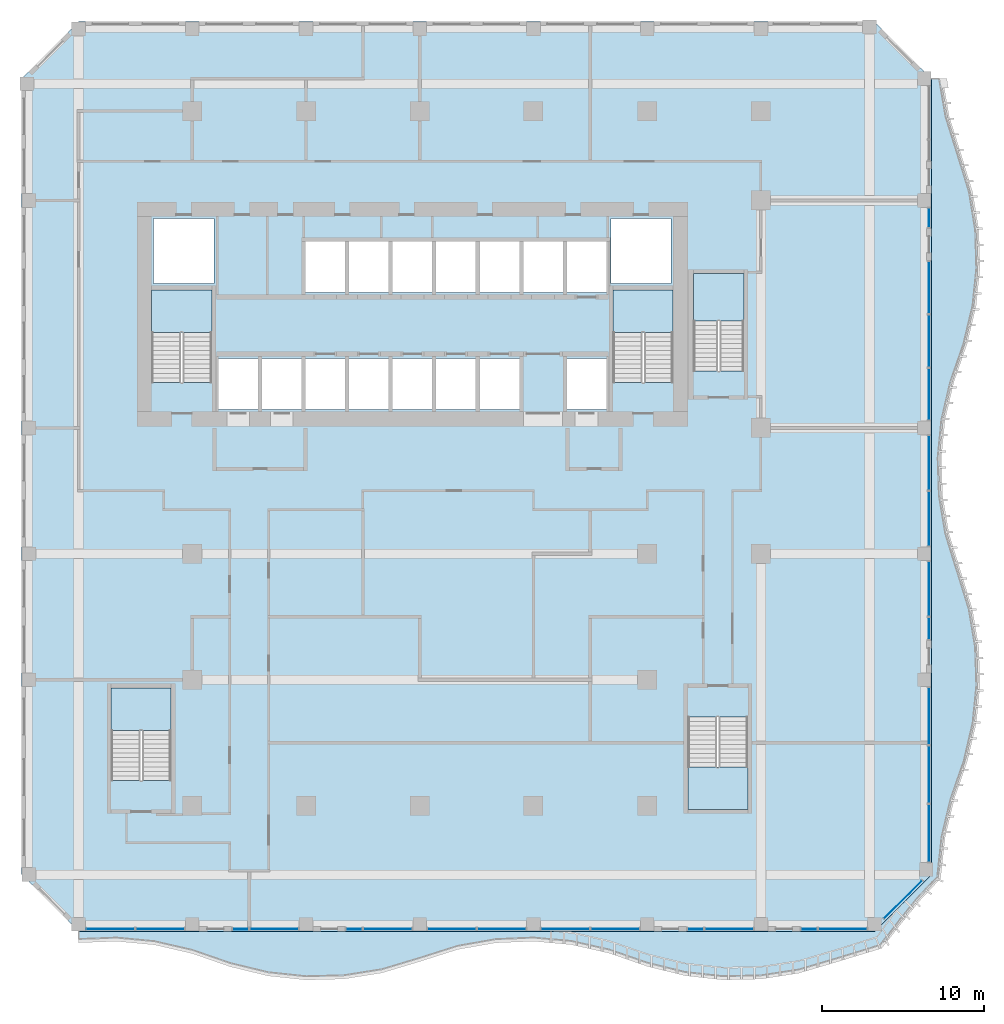
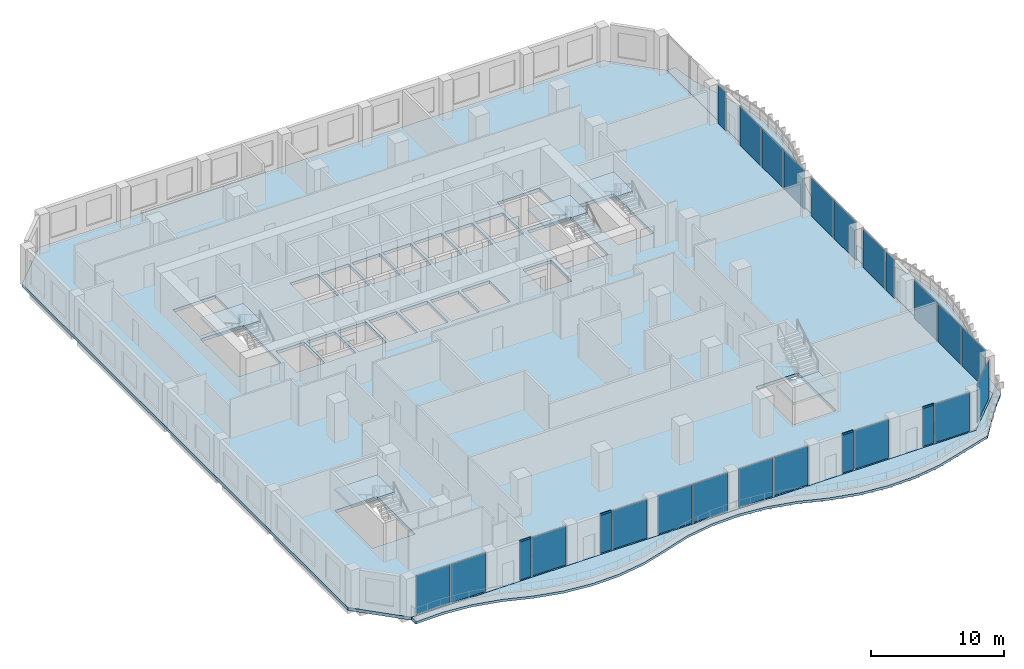
# One storey, part 9 of 19: 26 plates, 7 slabs, 4 members, 31 elements without a shape of their own.
"""IFC4 building model written with IfcOpenShell, lengths in metres."""

from ifc_helpers import new_model, si_unit, direction, frame, origin, origin_2d, place, context, subcontext, project, spatial, polyline, rectangle, outline, extrude, source, transform, mapped, material, layer, layer_set, material_profile, profile_set, type_object, element, aggregate, save


model = new_model("IFC4")

# Units and contexts
model_context = context("Model", 3, precision=1e-05, world=origin(), true_north=direction((0.0, 1.0)))
body_context = subcontext(model_context, "Body", "Model", "MODEL_VIEW")
ifc_project = project(units=[si_unit("LENGTHUNIT", "METRE"), si_unit("AREAUNIT", "SQUARE_METRE"), si_unit("VOLUMEUNIT", "CUBIC_METRE"), si_unit("PLANEANGLEUNIT", "RADIAN"), si_unit("MASSUNIT", "GRAM", prefix="KILO")], contexts=[model_context])

# Site, building, storey
site_placement = place(None, origin())
site = spatial("IfcSite", under=ifc_project, at=site_placement, CompositionType="ELEMENT")
building_placement = place(site_placement, origin())
building = spatial("IfcBuilding", under=site, at=building_placement, Name="Kilnfold Tower and Market Hall", CompositionType="ELEMENT")
storey_placement = place(building_placement, frame((0.0, 0.0, 124.60009765625)))
storey = spatial("IfcBuildingStorey", under=building, at=storey_placement, Name="L29", CompositionType="ELEMENT", Elevation=124.60009765625)

# Curtain wall, member
ifc_material_1 = material(Name="Aluminium and double glazing", Category="aluminium")
curtain_wall_type = type_object("IfcCurtainWallType", Name="CW OF2 VALLEY GLAZING", PredefinedType="NOTDEFINED", material=ifc_material_1)
curtain_wall_1_placement = place(storey_placement, origin())
curtain_wall_1 = element("IfcCurtainWall", 1, at=curtain_wall_1_placement, inside=storey, type_object=curtain_wall_type, Name="Curtain wall CW2 L29 S", PredefinedType="NOTDEFINED")
ifc_material_2 = material(Name="Aluminium", Category="aluminium")
ifc_material_profile = material_profile(ifc_material_2, rectangle(XDim=0.06005859375, YDim=0.159912109375, at=origin_2d()), Name="TRANSOM 60x160")
ifc_profile_set = profile_set([ifc_material_profile], Name="Aluminium")
member_type = type_object("IfcMemberType", Name="TRANSOM 60X160", PredefinedType="USERDEFINED", material=ifc_profile_set)
shared_shape_1 = source(origin(), body_context, "Body", "SweptSolid", [
    extrude(rectangle(XDim=0.06005859375, YDim=0.159912109375, at=origin_2d()), origin(), (0.0, 0.0, 1.0), 0.954833984375),
])
member_1_placement = place(storey_placement, frame((-10.014892578125, -22.85009765625, 3.56982421875), z_axis=(1.0, 0.0, 0.0), x_axis=(0.0, 1.0, 0.0)))
member_1 = element("IfcMember", 2, at=member_1_placement, type_object=member_type, Name="CW2 transom 1.2", ObjectType="TRANSOM", PredefinedType="USERDEFINED", context=body_context, shape_type="MappedRepresentation", body=[
    mapped(shared_shape_1, transform((0.0, 0.0, 0.0))),
])

curtain_wall_2_placement = place(storey_placement, origin())
curtain_wall_2 = element("IfcCurtainWall", 3, at=curtain_wall_2_placement, inside=storey, type_object=curtain_wall_type, Name="Curtain wall CW2 L29 S", PredefinedType="NOTDEFINED")
member_2_placement = place(storey_placement, frame((-3.014892578125, -22.85009765625, 3.56982421875), z_axis=(1.0, 0.0, 0.0), x_axis=(0.0, 1.0, 0.0)))
member_2 = element("IfcMember", 4, at=member_2_placement, type_object=member_type, Name="CW2 transom 1.2", ObjectType="TRANSOM", PredefinedType="USERDEFINED", context=body_context, shape_type="MappedRepresentation", body=[
    mapped(shared_shape_1, transform((0.0, 0.0, 0.0))),
])

curtain_wall_3_placement = place(storey_placement, origin())
curtain_wall_3 = element("IfcCurtainWall", 5, at=curtain_wall_3_placement, inside=storey, type_object=curtain_wall_type, Name="Curtain wall CW2 L29 S", PredefinedType="NOTDEFINED")
member_3_placement = place(storey_placement, frame((17.985107421875, -22.85009765625, 3.56982421875), z_axis=(1.0, 0.0, 0.0), x_axis=(0.0, 1.0, 0.0)))
member_3 = element("IfcMember", 6, at=member_3_placement, type_object=member_type, Name="CW2 transom 1.2", ObjectType="TRANSOM", PredefinedType="USERDEFINED", context=body_context, shape_type="MappedRepresentation", body=[
    mapped(shared_shape_1, transform((0.0, 0.0, 0.0))),
])

curtain_wall_4_placement = place(storey_placement, origin())
curtain_wall_4 = element("IfcCurtainWall", 7, at=curtain_wall_4_placement, inside=storey, type_object=curtain_wall_type, Name="Curtain wall CW2 L29 S", PredefinedType="NOTDEFINED")
member_4_placement = place(storey_placement, frame((24.985107421875, -22.85009765625, 3.56982421875), z_axis=(1.0, 0.0, 0.0), x_axis=(0.0, 1.0, 0.0)))
member_4 = element("IfcMember", 8, at=member_4_placement, type_object=member_type, Name="CW2 transom 1.2", ObjectType="TRANSOM", PredefinedType="USERDEFINED", context=body_context, shape_type="MappedRepresentation", body=[
    mapped(shared_shape_1, transform((0.0, 0.0, 0.0))),
])

# Slab
ifc_material_3 = material(Name="Concrete C45", Category="concrete")
ifc_layer_1 = layer(ifc_material_3, 0.280029296875)
ifc_layer_set_1 = layer_set([ifc_layer_1], Name="Concrete C45")
slab_type_1 = type_object("IfcSlabType", Name="FLOOR SLAB 280", PredefinedType="FLOOR", material=ifc_layer_set_1)
shared_shape_2 = source(origin(), body_context, "Body", "SweptSolid", [
    extrude(outline(polyline([(-19.5, -23.0), (29.5, -23.0), (33.0, -19.5), (33.0, 29.5), (29.5, 33.0), (-19.5, 33.0), (-23.0, 29.5), (-23.0, -19.5), (-19.5, -23.0)]), holes=[polyline([(-13.800537109375, -13.699462890625), (-17.49951171875, -13.699462890625), (-17.49951171875, -8.00048828125), (-13.800537109375, -8.00048828125), (-13.800537109375, -13.699462890625)]), polyline([(-14.99951171875, 10.800537109375), (-14.99951171875, 16.49951171875), (-11.300537109375, 16.49951171875), (-11.300537109375, 10.800537109375), (-14.99951171875, 10.800537109375)]), polyline([(-14.875, 16.875), (-14.875, 20.875), (-11.175048828125, 20.875), (-11.175048828125, 16.875), (-14.875, 16.875)]), polyline([(-8.455078125, 9.125), (-10.885009765625, 9.125), (-10.885009765625, 12.27490234375), (-8.455078125, 12.27490234375), (-8.455078125, 9.125)]), polyline([(-5.77490234375, 9.125), (-8.205078125, 9.125), (-8.205078125, 12.27490234375), (-5.77490234375, 12.27490234375), (-5.77490234375, 9.125)]), polyline([(-5.52490234375, 9.125), (-5.52490234375, 12.27490234375), (-3.094970703125, 12.27490234375), (-3.094970703125, 9.125), (-5.52490234375, 9.125)]), polyline([(-5.52490234375, 16.324951171875), (-5.52490234375, 19.47509765625), (-3.094970703125, 19.47509765625), (-3.094970703125, 16.324951171875), (-5.52490234375, 16.324951171875)]), polyline([(-2.844970703125, 9.125), (-2.844970703125, 12.27490234375), (-0.4150390625, 12.27490234375), (-0.4150390625, 9.125), (-2.844970703125, 9.125)]), polyline([(-0.4150390625, 16.324951171875), (-2.844970703125, 16.324951171875), (-2.844970703125, 19.47509765625), (-0.4150390625, 19.47509765625), (-0.4150390625, 16.324951171875)]), polyline([(2.264892578125, 9.125), (-0.1650390625, 9.125), (-0.1650390625, 12.27490234375), (2.264892578125, 12.27490234375), (2.264892578125, 9.125)]), polyline([(-0.1650390625, 16.324951171875), (-0.1650390625, 19.47509765625), (2.264892578125, 19.47509765625), (2.264892578125, 16.324951171875), (-0.1650390625, 16.324951171875)]), polyline([(4.945068359375, 9.125), (2.514892578125, 9.125), (2.514892578125, 12.27490234375), (4.945068359375, 12.27490234375), (4.945068359375, 9.125)]), polyline([(2.514892578125, 16.324951171875), (2.514892578125, 19.47509765625), (4.945068359375, 19.47509765625), (4.945068359375, 16.324951171875), (2.514892578125, 16.324951171875)]), polyline([(7.625, 9.125), (5.195068359375, 9.125), (5.195068359375, 12.27490234375), (7.625, 12.27490234375), (7.625, 9.125)]), polyline([(5.195068359375, 16.324951171875), (5.195068359375, 19.47509765625), (7.625, 19.47509765625), (7.625, 16.324951171875), (5.195068359375, 16.324951171875)]), polyline([(10.304931640625, 16.324951171875), (7.875, 16.324951171875), (7.875, 19.47509765625), (10.304931640625, 19.47509765625), (10.304931640625, 16.324951171875)]), polyline([(10.554931640625, 9.125), (10.554931640625, 12.27490234375), (12.985107421875, 12.27490234375), (12.985107421875, 9.125), (10.554931640625, 9.125)]), polyline([(10.554931640625, 16.324951171875), (10.554931640625, 19.47509765625), (12.985107421875, 19.47509765625), (12.985107421875, 16.324951171875), (10.554931640625, 16.324951171875)]), polyline([(13.27490234375, 16.875), (13.27490234375, 20.875), (16.97509765625, 20.875), (16.97509765625, 16.875), (13.27490234375, 16.875)]), polyline([(13.400390625, 10.800537109375), (13.400390625, 16.49951171875), (17.099609375, 16.49951171875), (17.099609375, 10.800537109375), (13.400390625, 10.800537109375)]), polyline([(18.00048828125, -9.800537109375), (21.699462890625, -9.800537109375), (21.699462890625, -15.49951171875), (18.00048828125, -15.49951171875), (18.00048828125, -9.800537109375)]), polyline([(21.449462890625, 11.50048828125), (18.3505859375, 11.50048828125), (18.3505859375, 17.49951171875), (21.449462890625, 17.49951171875), (21.449462890625, 11.50048828125)])]), origin(), (0.0, 0.0, 1.0), 0.280029296875),
])
slab_1_placement = place(storey_placement, frame((0.0, 0.0, -0.280029296875)))
element("IfcSlab", 9, at=slab_1_placement, inside=storey, type_object=slab_type_1, Name="Floor slab L29", PredefinedType="FLOOR", context=body_context, shape_type="MappedRepresentation", body=[
    mapped(shared_shape_2, transform((0.0, 0.0, 0.0))),
])

# Curtain wall, plate
curtain_wall_5_placement = place(storey_placement, origin())
curtain_wall_5 = element("IfcCurtainWall", 10, at=curtain_wall_5_placement, inside=storey, type_object=curtain_wall_type, Name="Curtain wall CW2 L29 S", PredefinedType="NOTDEFINED")
ifc_material_4 = material(Name="Double glazed unit")
ifc_layer_2 = layer(ifc_material_4, 0.031982421875)
ifc_layer_set_2 = layer_set([ifc_layer_2], Name="Double glazed unit")
plate_type = type_object("IfcPlateType", Name="GLAZING PANEL 32", PredefinedType="CURTAIN_PANEL", material=ifc_layer_set_2)
shared_shape_3 = source(origin(), body_context, "Body", "SweptSolid", [
    extrude(rectangle(XDim=2.955078125, YDim=0.031982421875, at=origin_2d()), origin(), (0.0, 0.0, 1.0), 3.5400390625),
])
plate_1_placement = place(storey_placement, frame((-17.53759765625, -22.85009765625, 0.0), z_axis=(0.0, 0.0, 1.0), x_axis=(1.0, 0.0, 0.0)))
plate_1 = element("IfcPlate", 11, at=plate_1_placement, type_object=plate_type, Name="CW2 panel 1.1", PredefinedType="CURTAIN_PANEL", context=body_context, shape_type="MappedRepresentation", body=[
    mapped(shared_shape_3, transform((0.0, 0.0, 0.0))),
])
aggregate(curtain_wall_5, [plate_1])

curtain_wall_6_placement = place(storey_placement, origin())
curtain_wall_6 = element("IfcCurtainWall", 12, at=curtain_wall_6_placement, inside=storey, type_object=curtain_wall_type, Name="Curtain wall CW2 L29 S", PredefinedType="NOTDEFINED")
plate_2_placement = place(storey_placement, frame((-14.46240234375, -22.85009765625, 0.0), z_axis=(0.0, 0.0, 1.0), x_axis=(1.0, 0.0, 0.0)))
plate_2 = element("IfcPlate", 13, at=plate_2_placement, type_object=plate_type, Name="CW2 panel 1.1", PredefinedType="CURTAIN_PANEL", context=body_context, shape_type="MappedRepresentation", body=[
    mapped(shared_shape_3, transform((0.0, 0.0, 0.0))),
])
aggregate(curtain_wall_6, [plate_2])

curtain_wall_7_placement = place(storey_placement, origin())
curtain_wall_7 = element("IfcCurtainWall", 14, at=curtain_wall_7_placement, inside=storey, type_object=curtain_wall_type, Name="Curtain wall CW2 L29 S", PredefinedType="NOTDEFINED")
plate_3_placement = place(storey_placement, frame((-7.46240234375, -22.85009765625, 0.0), z_axis=(0.0, 0.0, 1.0), x_axis=(1.0, 0.0, 0.0)))
plate_3 = element("IfcPlate", 15, at=plate_3_placement, type_object=plate_type, Name="CW2 panel 1.1", PredefinedType="CURTAIN_PANEL", context=body_context, shape_type="MappedRepresentation", body=[
    mapped(shared_shape_3, transform((0.0, 0.0, 0.0))),
])
aggregate(curtain_wall_7, [plate_3])

curtain_wall_8_placement = place(storey_placement, origin())
curtain_wall_8 = element("IfcCurtainWall", 16, at=curtain_wall_8_placement, inside=storey, type_object=curtain_wall_type, Name="Curtain wall CW2 L29 S", PredefinedType="NOTDEFINED")
plate_4_placement = place(storey_placement, frame((-0.46240234375, -22.85009765625, 0.0), z_axis=(0.0, 0.0, 1.0), x_axis=(1.0, 0.0, 0.0)))
plate_4 = element("IfcPlate", 17, at=plate_4_placement, type_object=plate_type, Name="CW2 panel 1.1", PredefinedType="CURTAIN_PANEL", context=body_context, shape_type="MappedRepresentation", body=[
    mapped(shared_shape_3, transform((0.0, 0.0, 0.0))),
])
aggregate(curtain_wall_8, [plate_4])

curtain_wall_9_placement = place(storey_placement, origin())
curtain_wall_9 = element("IfcCurtainWall", 18, at=curtain_wall_9_placement, inside=storey, type_object=curtain_wall_type, Name="Curtain wall CW2 L29 S", PredefinedType="NOTDEFINED")
plate_5_placement = place(storey_placement, frame((3.46240234375, -22.85009765625, 0.0), z_axis=(0.0, 0.0, 1.0), x_axis=(1.0, 0.0, 0.0)))
plate_5 = element("IfcPlate", 19, at=plate_5_placement, type_object=plate_type, Name="CW2 panel 1.1", PredefinedType="CURTAIN_PANEL", context=body_context, shape_type="MappedRepresentation", body=[
    mapped(shared_shape_3, transform((0.0, 0.0, 0.0))),
])
aggregate(curtain_wall_9, [plate_5])

curtain_wall_10_placement = place(storey_placement, origin())
curtain_wall_10 = element("IfcCurtainWall", 20, at=curtain_wall_10_placement, inside=storey, type_object=curtain_wall_type, Name="Curtain wall CW2 L29 S", PredefinedType="NOTDEFINED")
plate_6_placement = place(storey_placement, frame((6.53759765625, -22.85009765625, 0.0), z_axis=(0.0, 0.0, 1.0), x_axis=(1.0, 0.0, 0.0)))
plate_6 = element("IfcPlate", 21, at=plate_6_placement, type_object=plate_type, Name="CW2 panel 1.1", PredefinedType="CURTAIN_PANEL", context=body_context, shape_type="MappedRepresentation", body=[
    mapped(shared_shape_3, transform((0.0, 0.0, 0.0))),
])
aggregate(curtain_wall_10, [plate_6])

curtain_wall_11_placement = place(storey_placement, origin())
curtain_wall_11 = element("IfcCurtainWall", 22, at=curtain_wall_11_placement, inside=storey, type_object=curtain_wall_type, Name="Curtain wall CW2 L29 S", PredefinedType="NOTDEFINED")
plate_7_placement = place(storey_placement, frame((10.46240234375, -22.85009765625, 0.0), z_axis=(0.0, 0.0, 1.0), x_axis=(1.0, 0.0, 0.0)))
plate_7 = element("IfcPlate", 23, at=plate_7_placement, type_object=plate_type, Name="CW2 panel 1.1", PredefinedType="CURTAIN_PANEL", context=body_context, shape_type="MappedRepresentation", body=[
    mapped(shared_shape_3, transform((0.0, 0.0, 0.0))),
])
aggregate(curtain_wall_11, [plate_7])

curtain_wall_12_placement = place(storey_placement, origin())
curtain_wall_12 = element("IfcCurtainWall", 24, at=curtain_wall_12_placement, inside=storey, type_object=curtain_wall_type, Name="Curtain wall CW2 L29 S", PredefinedType="NOTDEFINED")
plate_8_placement = place(storey_placement, frame((13.53759765625, -22.85009765625, 0.0), z_axis=(0.0, 0.0, 1.0), x_axis=(1.0, 0.0, 0.0)))
plate_8 = element("IfcPlate", 25, at=plate_8_placement, type_object=plate_type, Name="CW2 panel 1.1", PredefinedType="CURTAIN_PANEL", context=body_context, shape_type="MappedRepresentation", body=[
    mapped(shared_shape_3, transform((0.0, 0.0, 0.0))),
])
aggregate(curtain_wall_12, [plate_8])

curtain_wall_13_placement = place(storey_placement, origin())
curtain_wall_13 = element("IfcCurtainWall", 26, at=curtain_wall_13_placement, inside=storey, type_object=curtain_wall_type, Name="Curtain wall CW2 L29 S", PredefinedType="NOTDEFINED")
plate_9_placement = place(storey_placement, frame((20.53759765625, -22.85009765625, 0.0), z_axis=(0.0, 0.0, 1.0), x_axis=(1.0, 0.0, 0.0)))
plate_9 = element("IfcPlate", 27, at=plate_9_placement, type_object=plate_type, Name="CW2 panel 1.1", PredefinedType="CURTAIN_PANEL", context=body_context, shape_type="MappedRepresentation", body=[
    mapped(shared_shape_3, transform((0.0, 0.0, 0.0))),
])
aggregate(curtain_wall_13, [plate_9])

curtain_wall_14_placement = place(storey_placement, origin())
curtain_wall_14 = element("IfcCurtainWall", 28, at=curtain_wall_14_placement, inside=storey, type_object=curtain_wall_type, Name="Curtain wall CW2 L29 S", PredefinedType="NOTDEFINED")
plate_10_placement = place(storey_placement, frame((27.53759765625, -22.85009765625, 0.0), z_axis=(0.0, 0.0, 1.0), x_axis=(1.0, 0.0, 0.0)))
plate_10 = element("IfcPlate", 29, at=plate_10_placement, type_object=plate_type, Name="CW2 panel 1.1", PredefinedType="CURTAIN_PANEL", context=body_context, shape_type="MappedRepresentation", body=[
    mapped(shared_shape_3, transform((0.0, 0.0, 0.0))),
])
aggregate(curtain_wall_14, [plate_10])

# Plate
shared_shape_4 = source(origin(), body_context, "Body", "SweptSolid", [
    extrude(rectangle(XDim=0.955078125, YDim=0.031982421875, at=origin_2d()), origin(), (0.0, 0.0, 1.0), 3.5400390625),
])
plate_11_placement = place(storey_placement, frame((-9.53759765625, -22.85009765625, 0.0), z_axis=(0.0, 0.0, 1.0), x_axis=(1.0, 0.0, 0.0)))
plate_11 = element("IfcPlate", 30, at=plate_11_placement, type_object=plate_type, Name="CW2 panel 1.1", PredefinedType="CURTAIN_PANEL", context=body_context, shape_type="MappedRepresentation", body=[
    mapped(shared_shape_4, transform((0.0, 0.0, 0.0))),
])

aggregate(curtain_wall_1, [member_1, plate_11])

plate_12_placement = place(storey_placement, frame((-2.53759765625, -22.85009765625, 0.0), z_axis=(0.0, 0.0, 1.0), x_axis=(1.0, 0.0, 0.0)))
plate_12 = element("IfcPlate", 31, at=plate_12_placement, type_object=plate_type, Name="CW2 panel 1.1", PredefinedType="CURTAIN_PANEL", context=body_context, shape_type="MappedRepresentation", body=[
    mapped(shared_shape_4, transform((0.0, 0.0, 0.0))),
])

aggregate(curtain_wall_2, [member_2, plate_12])

plate_13_placement = place(storey_placement, frame((18.46240234375, -22.85009765625, 0.0), z_axis=(0.0, 0.0, 1.0), x_axis=(1.0, 0.0, 0.0)))
plate_13 = element("IfcPlate", 32, at=plate_13_placement, type_object=plate_type, Name="CW2 panel 1.1", PredefinedType="CURTAIN_PANEL", context=body_context, shape_type="MappedRepresentation", body=[
    mapped(shared_shape_4, transform((0.0, 0.0, 0.0))),
])

aggregate(curtain_wall_3, [member_3, plate_13])

plate_14_placement = place(storey_placement, frame((25.46240234375, -22.85009765625, 0.0), z_axis=(0.0, 0.0, 1.0), x_axis=(1.0, 0.0, 0.0)))
plate_14 = element("IfcPlate", 33, at=plate_14_placement, type_object=plate_type, Name="CW2 panel 1.1", PredefinedType="CURTAIN_PANEL", context=body_context, shape_type="MappedRepresentation", body=[
    mapped(shared_shape_4, transform((0.0, 0.0, 0.0))),
])

aggregate(curtain_wall_4, [member_4, plate_14])

# Curtain wall, plate
curtain_wall_15_placement = place(storey_placement, origin())
curtain_wall_15 = element("IfcCurtainWall", 34, at=curtain_wall_15_placement, inside=storey, type_object=curtain_wall_type, Name="Curtain wall CW2 L29 SE", PredefinedType="NOTDEFINED")
shared_shape_5 = source(origin(), body_context, "Body", "SweptSolid", [
    extrude(rectangle(XDim=3.3095703125, YDim=0.031982421875, at=origin_2d()), origin(), (0.0, 0.0, 1.0), 3.5400390625),
])
plate_15_placement = place(storey_placement, frame((31.25634765625, -21.031494140625, 0.0), z_axis=(0.0, 0.0, 1.0), x_axis=(0.707092201815, 0.707121360258, 0.0)))
plate_15 = element("IfcPlate", 35, at=plate_15_placement, type_object=plate_type, Name="CW2 panel 1.1", PredefinedType="CURTAIN_PANEL", context=body_context, shape_type="MappedRepresentation", body=[
    mapped(shared_shape_5, transform((0.0, 0.0, 0.0))),
])
aggregate(curtain_wall_15, [plate_15])

curtain_wall_16_placement = place(storey_placement, origin())
curtain_wall_16 = element("IfcCurtainWall", 36, at=curtain_wall_16_placement, inside=storey, type_object=curtain_wall_type, Name="Curtain wall CW2 L29 E", PredefinedType="NOTDEFINED")
shared_shape_6 = source(origin(), body_context, "Body", "SweptSolid", [
    extrude(rectangle(XDim=3.490478515625, YDim=0.031982421875, at=origin_2d()), origin(), (0.0, 0.0, 1.0), 3.5400390625),
])
plate_16_placement = place(storey_placement, frame((32.85009765625, -16.951416015625, 0.0), z_axis=(0.0, 0.0, 1.0), x_axis=(0.0, 1.0, 0.0)))
plate_16 = element("IfcPlate", 37, at=plate_16_placement, type_object=plate_type, Name="CW2 panel 1.1", PredefinedType="CURTAIN_PANEL", context=body_context, shape_type="MappedRepresentation", body=[
    mapped(shared_shape_6, transform((0.0, 0.0, 0.0))),
])
aggregate(curtain_wall_16, [plate_16])

curtain_wall_17_placement = place(storey_placement, origin())
curtain_wall_17 = element("IfcCurtainWall", 38, at=curtain_wall_17_placement, inside=storey, type_object=curtain_wall_type, Name="Curtain wall CW2 L29 E", PredefinedType="NOTDEFINED")
plate_17_placement = place(storey_placement, frame((32.85009765625, -13.3408203125, 0.0), z_axis=(0.0, 0.0, 1.0), x_axis=(0.0, 1.0, 0.0)))
plate_17 = element("IfcPlate", 39, at=plate_17_placement, type_object=plate_type, Name="CW2 panel 1.1", PredefinedType="CURTAIN_PANEL", context=body_context, shape_type="MappedRepresentation", body=[
    mapped(shared_shape_6, transform((0.0, 0.0, 0.0))),
])
aggregate(curtain_wall_17, [plate_17])

curtain_wall_18_placement = place(storey_placement, origin())
curtain_wall_18 = element("IfcCurtainWall", 40, at=curtain_wall_18_placement, inside=storey, type_object=curtain_wall_type, Name="Curtain wall CW2 L29 E", PredefinedType="NOTDEFINED")
plate_18_placement = place(storey_placement, frame((32.85009765625, -9.730224609375, 0.0), z_axis=(0.0, 0.0, 1.0), x_axis=(0.0, 1.0, 0.0)))
plate_18 = element("IfcPlate", 41, at=plate_18_placement, type_object=plate_type, Name="CW2 panel 1.1", PredefinedType="CURTAIN_PANEL", context=body_context, shape_type="MappedRepresentation", body=[
    mapped(shared_shape_6, transform((0.0, 0.0, 0.0))),
])
aggregate(curtain_wall_18, [plate_18])

curtain_wall_19_placement = place(storey_placement, origin())
curtain_wall_19 = element("IfcCurtainWall", 42, at=curtain_wall_19_placement, inside=storey, type_object=curtain_wall_type, Name="Curtain wall CW2 L29 E", PredefinedType="NOTDEFINED")
shared_shape_7 = source(origin(), body_context, "Body", "SweptSolid", [
    extrude(rectangle(XDim=1.330078125, YDim=0.031982421875, at=origin_2d()), origin(), (0.0, 0.0, 1.0), 3.5400390625),
])
plate_19_placement = place(storey_placement, frame((32.85009765625, -4.35009765625, 0.0), z_axis=(0.0, 0.0, 1.0), x_axis=(0.0, 1.0, 0.0)))
plate_19 = element("IfcPlate", 43, at=plate_19_placement, type_object=plate_type, Name="CW2 panel 1.1", PredefinedType="CURTAIN_PANEL", context=body_context, shape_type="MappedRepresentation", body=[
    mapped(shared_shape_7, transform((0.0, 0.0, 0.0))),
])
aggregate(curtain_wall_19, [plate_19])

curtain_wall_20_placement = place(storey_placement, origin())
curtain_wall_20 = element("IfcCurtainWall", 44, at=curtain_wall_20_placement, inside=storey, type_object=curtain_wall_type, Name="Curtain wall CW2 L29 E", PredefinedType="NOTDEFINED")
shared_shape_8 = source(origin(), body_context, "Body", "SweptSolid", [
    extrude(rectangle(XDim=3.330078125, YDim=0.031982421875, at=origin_2d()), origin(), (0.0, 0.0, 1.0), 3.5400390625),
])
plate_20_placement = place(storey_placement, frame((32.85009765625, -1.89990234375, 0.0), z_axis=(0.0, 0.0, 1.0), x_axis=(0.0, 1.0, 0.0)))
plate_20 = element("IfcPlate", 45, at=plate_20_placement, type_object=plate_type, Name="CW2 panel 1.1", PredefinedType="CURTAIN_PANEL", context=body_context, shape_type="MappedRepresentation", body=[
    mapped(shared_shape_8, transform((0.0, 0.0, 0.0))),
])
aggregate(curtain_wall_20, [plate_20])

curtain_wall_21_placement = place(storey_placement, origin())
curtain_wall_21 = element("IfcCurtainWall", 46, at=curtain_wall_21_placement, inside=storey, type_object=curtain_wall_type, Name="Curtain wall CW2 L29 E", PredefinedType="NOTDEFINED")
plate_21_placement = place(storey_placement, frame((32.85009765625, 2.39990234375, 0.0), z_axis=(0.0, 0.0, 1.0), x_axis=(0.0, 1.0, 0.0)))
plate_21 = element("IfcPlate", 47, at=plate_21_placement, type_object=plate_type, Name="CW2 panel 1.1", PredefinedType="CURTAIN_PANEL", context=body_context, shape_type="MappedRepresentation", body=[
    mapped(shared_shape_8, transform((0.0, 0.0, 0.0))),
])
aggregate(curtain_wall_21, [plate_21])

curtain_wall_22_placement = place(storey_placement, origin())
curtain_wall_22 = element("IfcCurtainWall", 48, at=curtain_wall_22_placement, inside=storey, type_object=curtain_wall_type, Name="Curtain wall CW2 L29 E", PredefinedType="NOTDEFINED")
plate_22_placement = place(storey_placement, frame((32.85009765625, 5.85009765625, 0.0), z_axis=(0.0, 0.0, 1.0), x_axis=(0.0, 1.0, 0.0)))
plate_22 = element("IfcPlate", 49, at=plate_22_placement, type_object=plate_type, Name="CW2 panel 1.1", PredefinedType="CURTAIN_PANEL", context=body_context, shape_type="MappedRepresentation", body=[
    mapped(shared_shape_8, transform((0.0, 0.0, 0.0))),
])
aggregate(curtain_wall_22, [plate_22])

curtain_wall_23_placement = place(storey_placement, origin())
curtain_wall_23 = element("IfcCurtainWall", 50, at=curtain_wall_23_placement, inside=storey, type_object=curtain_wall_type, Name="Curtain wall CW2 L29 E", PredefinedType="NOTDEFINED")
shared_shape_9 = source(origin(), body_context, "Body", "SweptSolid", [
    extrude(rectangle(XDim=3.16748046875, YDim=0.031982421875, at=origin_2d()), origin(), (0.0, 0.0, 1.0), 3.5400390625),
])
plate_23_placement = place(storey_placement, frame((32.85009765625, 10.06884765625, 0.0), z_axis=(0.0, 0.0, 1.0), x_axis=(0.0, 1.0, 0.0)))
plate_23 = element("IfcPlate", 51, at=plate_23_placement, type_object=plate_type, Name="CW2 panel 1.1", PredefinedType="CURTAIN_PANEL", context=body_context, shape_type="MappedRepresentation", body=[
    mapped(shared_shape_9, transform((0.0, 0.0, 0.0))),
])
aggregate(curtain_wall_23, [plate_23])

curtain_wall_24_placement = place(storey_placement, origin())
curtain_wall_24 = element("IfcCurtainWall", 52, at=curtain_wall_24_placement, inside=storey, type_object=curtain_wall_type, Name="Curtain wall CW2 L29 E", PredefinedType="NOTDEFINED")
plate_24_placement = place(storey_placement, frame((32.85009765625, 13.356201171875, 0.0), z_axis=(0.0, 0.0, 1.0), x_axis=(0.0, 1.0, 0.0)))
plate_24 = element("IfcPlate", 53, at=plate_24_placement, type_object=plate_type, Name="CW2 panel 1.1", PredefinedType="CURTAIN_PANEL", context=body_context, shape_type="MappedRepresentation", body=[
    mapped(shared_shape_9, transform((0.0, 0.0, 0.0))),
])
aggregate(curtain_wall_24, [plate_24])

curtain_wall_25_placement = place(storey_placement, origin())
curtain_wall_25 = element("IfcCurtainWall", 54, at=curtain_wall_25_placement, inside=storey, type_object=curtain_wall_type, Name="Curtain wall CW2 L29 E", PredefinedType="NOTDEFINED")
plate_25_placement = place(storey_placement, frame((32.85009765625, 16.643798828125, 0.0), z_axis=(0.0, 0.0, 1.0), x_axis=(0.0, 1.0, 0.0)))
plate_25 = element("IfcPlate", 55, at=plate_25_placement, type_object=plate_type, Name="CW2 panel 1.1", PredefinedType="CURTAIN_PANEL", context=body_context, shape_type="MappedRepresentation", body=[
    mapped(shared_shape_9, transform((0.0, 0.0, 0.0))),
])
aggregate(curtain_wall_25, [plate_25])

curtain_wall_26_placement = place(storey_placement, origin())
curtain_wall_26 = element("IfcCurtainWall", 56, at=curtain_wall_26_placement, inside=storey, type_object=curtain_wall_type, Name="Curtain wall CW2 L29 E", PredefinedType="NOTDEFINED")
shared_shape_10 = source(origin(), body_context, "Body", "SweptSolid", [
    extrude(rectangle(XDim=1.16748046875, YDim=0.031982421875, at=origin_2d()), origin(), (0.0, 0.0, 1.0), 3.5400390625),
])
plate_26_placement = place(storey_placement, frame((32.85009765625, 20.93115234375, 0.0), z_axis=(0.0, 0.0, 1.0), x_axis=(0.0, 1.0, 0.0)))
plate_26 = element("IfcPlate", 57, at=plate_26_placement, type_object=plate_type, Name="CW2 panel 1.1", PredefinedType="CURTAIN_PANEL", context=body_context, shape_type="MappedRepresentation", body=[
    mapped(shared_shape_10, transform((0.0, 0.0, 0.0))),
])
aggregate(curtain_wall_26, [plate_26])

# Slab
ifc_material_5 = material(Name="Concrete C40/50", Category="concrete")
ifc_layer_3 = layer(ifc_material_5, 0.219970703125)
ifc_layer_set_3 = layer_set([ifc_layer_3], Name="Concrete C40/50")
slab_type_2 = type_object("IfcSlabType", Name="BALCONY SLAB 220", PredefinedType="FLOOR", material=ifc_layer_set_3)
shared_shape_11 = source(origin(), body_context, "Body", "SweptSolid", [
    extrude(outline(polyline([(-19.5, -23.0), (29.5, -23.0), (33.0, -19.5), (33.0, 29.5), (33.69482421875, 29.5), (34.09423828125, 27.166748046875), (34.8271484375, 24.833251953125), (35.5390625, 22.5), (35.919189453125, 20.166748046875), (35.98876953125, 17.833251953125), (35.751220703125, 15.5), (35.194091796875, 13.166748046875), (34.384033203125, 10.833251953125), (33.8369140625, 8.5), (33.60888671875, 6.166748046875), (33.687744140625, 3.833251953125), (34.077392578125, 1.5), (35.5224609375, -3.166748046875), (35.912353515625, -5.5), (35.990966796875, -7.833251953125), (35.762939453125, -10.166748046875), (35.216064453125, -12.5), (34.406005859375, -14.833251953125), (33.848876953125, -17.166748046875), (33.564697265625, -19.73388671875), (32.27783203125, -21.111328125), (31.232421875, -22.39892578125), (29.931884765625, -24.04296875), (27.166748046875, -24.880615234375), (24.833251953125, -25.5712890625), (22.5, -25.93212890625), (20.166748046875, -25.98291015625), (17.833251953125, -25.726806640625), (15.5, -25.1494140625), (13.166748046875, -24.34130859375), (10.833251953125, -23.814208984375), (8.5, -23.60498046875), (6.166748046875, -23.702392578125), (3.833251953125, -24.111572265625), (1.5, -24.85400390625), (-0.833251953125, -25.555419921875), (-3.166748046875, -25.92578125), (-5.5, -25.986083984375), (-7.833251953125, -25.7392578125), (-10.166748046875, -25.171875), (-12.5, -24.362548828125), (-14.833251953125, -23.825439453125), (-17.166748046875, -23.60693359375), (-19.5, -23.69482421875), (-19.5, -23.0)])), origin(), (0.0, 0.0, 1.0), 0.22021484375),
])
slab_2_placement = place(storey_placement, frame((0.0, 0.0, -0.22021484375)))
element("IfcSlab", 58, at=slab_2_placement, inside=storey, type_object=slab_type_2, Name="Balcony slab L29", PredefinedType="FLOOR", context=body_context, shape_type="MappedRepresentation", body=[
    mapped(shared_shape_11, transform((0.0, 0.0, 0.0))),
])

# Stair, slab
ifc_material_6 = material(Name="Concrete C40/50", Category="concrete")
stair_type_1 = type_object("IfcStairType", Name="CORE STAIR 1800", PredefinedType="HALF_TURN_STAIR", material=ifc_material_6)
stair_1_placement = place(storey_placement, origin())
stair_1 = element("IfcStair", 59, at=stair_1_placement, inside=storey, type_object=stair_type_1, Name="L29 ST1", PredefinedType="HALF_TURN_STAIR")
ifc_material_7 = material(Name="Concrete C40/50", Category="concrete")
ifc_layer_4 = layer(ifc_material_7, 0.199951171875)
ifc_layer_set_4 = layer_set([ifc_layer_4], Name="Concrete C40/50")
slab_type_3 = type_object("IfcSlabType", Name="CORE STAIR LANDING 200", PredefinedType="LANDING", material=ifc_layer_set_4)
shared_shape_12 = source(origin(), body_context, "Body", "SweptSolid", [
    extrude(outline(polyline([(-11.300048828125, 13.8798828125), (-11.300048828125, 16.5), (-15.0, 16.5), (-15.0, 13.8798828125), (-11.300048828125, 13.8798828125)])), origin(), (0.0, 0.0, 1.0), 0.2001953125),
])
slab_3_placement = place(storey_placement, frame((0.0, 0.0, 1.7998046875)))
slab_3 = element("IfcSlab", 60, at=slab_3_placement, type_object=slab_type_3, Name="ST1 landing 1", PredefinedType="LANDING", context=body_context, shape_type="MappedRepresentation", body=[
    mapped(shared_shape_12, transform((0.0, 0.0, 0.0))),
])
aggregate(stair_1, [slab_3])

stair_2_placement = place(storey_placement, origin())
stair_2 = element("IfcStair", 61, at=stair_2_placement, inside=storey, type_object=stair_type_1, Name="L29 ST2", PredefinedType="HALF_TURN_STAIR")
shared_shape_13 = source(origin(), body_context, "Body", "SweptSolid", [
    extrude(outline(polyline([(17.10009765625, 13.8798828125), (17.10009765625, 16.5), (13.39990234375, 16.5), (13.39990234375, 13.8798828125), (17.10009765625, 13.8798828125)])), origin(), (0.0, 0.0, 1.0), 0.2001953125),
])
slab_4_placement = place(storey_placement, frame((0.0, 0.0, 1.7998046875)))
slab_4 = element("IfcSlab", 62, at=slab_4_placement, type_object=slab_type_3, Name="ST2 landing 1", PredefinedType="LANDING", context=body_context, shape_type="MappedRepresentation", body=[
    mapped(shared_shape_13, transform((0.0, 0.0, 0.0))),
])
aggregate(stair_2, [slab_4])

stair_3_placement = place(storey_placement, origin())
stair_3 = element("IfcStair", 63, at=stair_3_placement, inside=storey, type_object=stair_type_1, Name="L29 ST3", PredefinedType="HALF_TURN_STAIR")
shared_shape_14 = source(origin(), body_context, "Body", "SweptSolid", [
    extrude(outline(polyline([(-13.800048828125, -10.6201171875), (-13.800048828125, -8.0), (-17.5, -8.0), (-17.5, -10.6201171875), (-13.800048828125, -10.6201171875)])), origin(), (0.0, 0.0, 1.0), 0.2001953125),
])
slab_5_placement = place(storey_placement, frame((0.0, 0.0, 1.7998046875)))
slab_5 = element("IfcSlab", 64, at=slab_5_placement, type_object=slab_type_3, Name="ST3 landing 1", PredefinedType="LANDING", context=body_context, shape_type="MappedRepresentation", body=[
    mapped(shared_shape_14, transform((0.0, 0.0, 0.0))),
])
aggregate(stair_3, [slab_5])

stair_4_placement = place(storey_placement, origin())
stair_4 = element("IfcStair", 65, at=stair_4_placement, inside=storey, type_object=stair_type_1, Name="L29 ST4", PredefinedType="HALF_TURN_STAIR")
shared_shape_15 = source(origin(), body_context, "Body", "SweptSolid", [
    extrude(outline(polyline([(18.0, -12.8798828125), (18.0, -15.5), (21.699951171875, -15.5), (21.699951171875, -12.8798828125), (18.0, -12.8798828125)])), origin(), (0.0, 0.0, 1.0), 0.2001953125),
])
slab_6_placement = place(storey_placement, frame((0.0, 0.0, 1.7998046875)))
slab_6 = element("IfcSlab", 66, at=slab_6_placement, type_object=slab_type_3, Name="ST4 landing 1", PredefinedType="LANDING", context=body_context, shape_type="MappedRepresentation", body=[
    mapped(shared_shape_15, transform((0.0, 0.0, 0.0))),
])
aggregate(stair_4, [slab_6])

ifc_material_8 = material(Name="Concrete C40/50", Category="concrete")
stair_type_2 = type_object("IfcStairType", Name="CORE STAIR 1500", PredefinedType="HALF_TURN_STAIR", material=ifc_material_8)
stair_5_placement = place(storey_placement, origin())
stair_5 = element("IfcStair", 67, at=stair_5_placement, inside=storey, type_object=stair_type_2, Name="L29 ST5", PredefinedType="HALF_TURN_STAIR")
shared_shape_16 = source(origin(), body_context, "Body", "SweptSolid", [
    extrude(outline(polyline([(21.449951171875, 14.580078125), (21.449951171875, 17.5), (18.35009765625, 17.5), (18.35009765625, 14.580078125), (21.449951171875, 14.580078125)])), origin(), (0.0, 0.0, 1.0), 0.2001953125),
])
slab_7_placement = place(storey_placement, frame((0.0, 0.0, 1.7998046875)))
slab_7 = element("IfcSlab", 68, at=slab_7_placement, type_object=slab_type_3, Name="ST5 landing 1", PredefinedType="LANDING", context=body_context, shape_type="MappedRepresentation", body=[
    mapped(shared_shape_16, transform((0.0, 0.0, 0.0))),
])
aggregate(stair_5, [slab_7])

save(model, "model.ifc")
